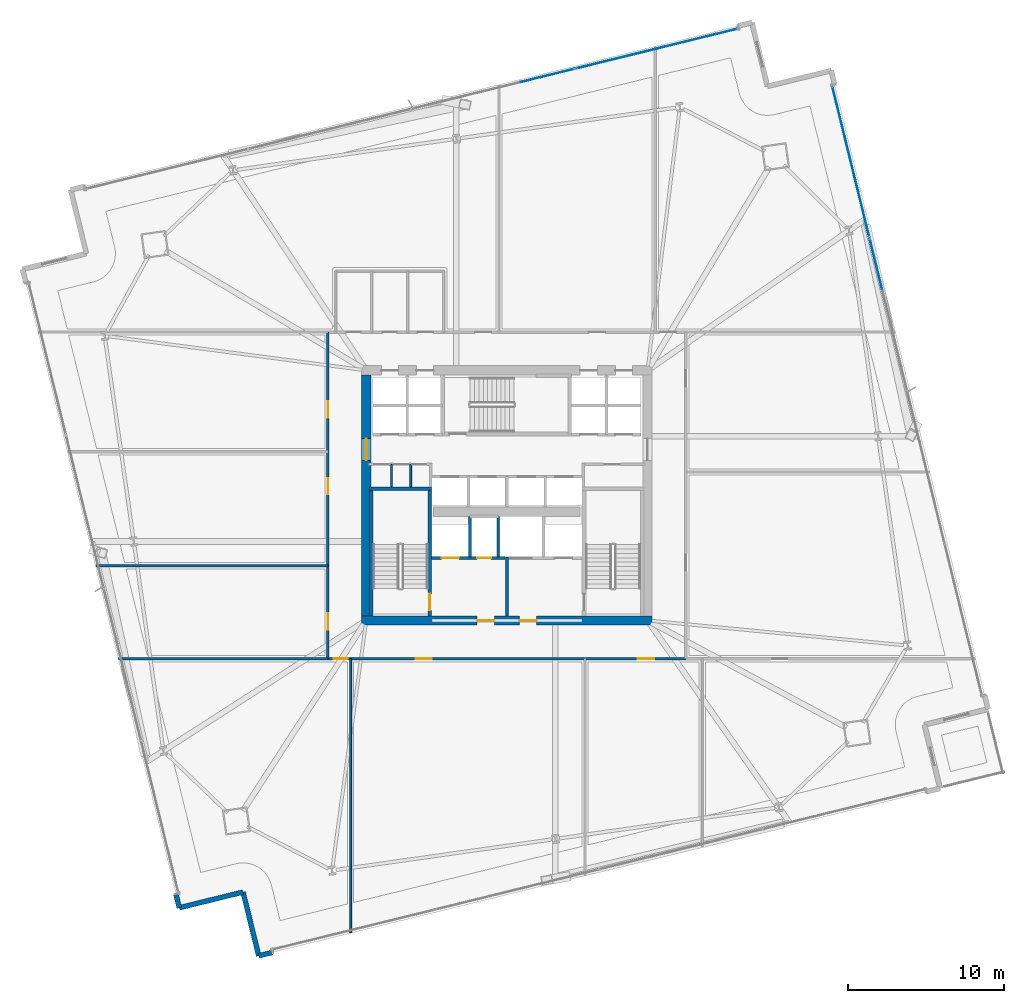
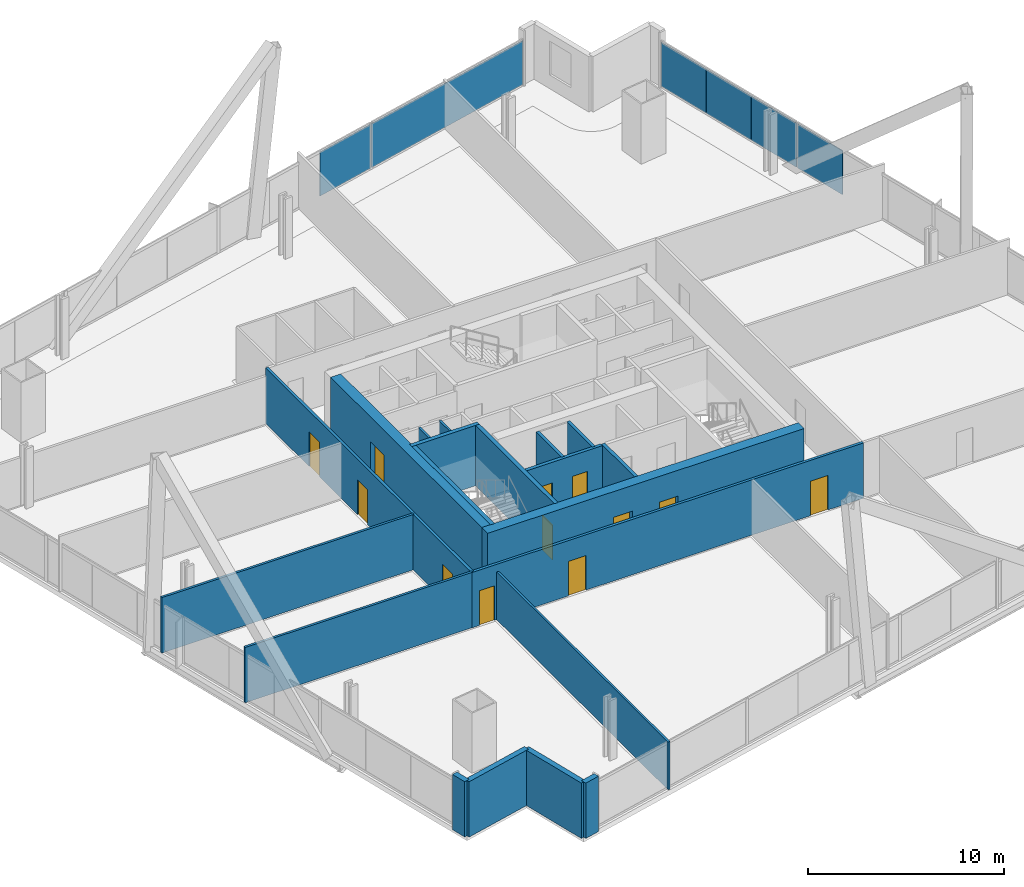
# One storey, part 24 of 32: 20 walls, 12 doors, 6 plates, 12 openings, 2 elements without a shape of their own.
"""IFC4 building model written with IfcOpenShell, lengths in metres."""

from ifc_helpers import new_model, si_unit, direction, frame, frame_2d, origin, origin_2d, place, context, subcontext, project, spatial, rectangle, extrude, source, transform, mapped, material, layer, layer_set, type_object, element, fill, aggregate, save


model = new_model("IFC4")

# Units and contexts
model_context = context("Model", 3, precision=1e-05, world=origin(), true_north=direction((0.0, 1.0)))
body_context = subcontext(model_context, "Body", "Model", "MODEL_VIEW")
ifc_project = project(units=[si_unit("LENGTHUNIT", "METRE"), si_unit("AREAUNIT", "SQUARE_METRE"), si_unit("VOLUMEUNIT", "CUBIC_METRE"), si_unit("PLANEANGLEUNIT", "RADIAN"), si_unit("MASSUNIT", "GRAM", prefix="KILO")], contexts=[model_context])

# Site, building, storey
site_placement = place(None, origin())
site = spatial("IfcSite", under=ifc_project, at=site_placement, CompositionType="ELEMENT")
building_placement = place(site_placement, origin())
building = spatial("IfcBuilding", under=site, at=building_placement, Name="Haldenkirk Collegiate Tower", CompositionType="ELEMENT")
storey_placement = place(building_placement, frame((0.0, 0.0, 73.949951171875)))
storey = spatial("IfcBuildingStorey", under=building, at=storey_placement, Name="L17", CompositionType="ELEMENT", Elevation=73.949951171875)

# Curtain wall, plate
ifc_material_1 = material(Name="Anodised architectural bronze aluminium", Category="aluminium")
curtain_wall_type = type_object("IfcCurtainWallType", Name="CW-SYS1-CONVEX-LOW", PredefinedType="USERDEFINED", material=ifc_material_1)
curtain_wall_1_placement = place(storey_placement, origin())
curtain_wall_1 = element("IfcCurtainWall", 1, at=curtain_wall_1_placement, inside=storey, type_object=curtain_wall_type, Name="L17 Lower tower convex bronze-framed unitised curtain wall", ObjectType="UNITISED CURTAIN WALL", PredefinedType="USERDEFINED")
ifc_material_2 = material(Name="Bronze-anodised insulated aluminium spandrel panel", Category="aluminium")
ifc_layer_1 = layer(ifc_material_2, 0.0439453125)
ifc_layer_set_1 = layer_set([ifc_layer_1], Name="Bronze-anodised insulated aluminium spandrel panel")
plate_type_1 = type_object("IfcPlateType", Name="CW-SPD-1A", PredefinedType="CURTAIN_PANEL", material=ifc_layer_set_1)
shared_shape_1 = source(origin(), body_context, "Body", "SweptSolid", [
    extrude(rectangle(XDim=3.317138671875, YDim=0.0439453125, at=origin_2d()), origin(), (0.0, 0.0, 1.0), 2.73095703125),
])
plate_1_placement = place(storey_placement, frame((59.611083984375, 40.84326171875, 0.080078125), z_axis=(0.0, 0.0, 1.0), x_axis=(0.238532828413, -0.971134434447, 0.0)))
plate_1 = element("IfcPlate", 2, at=plate_1_placement, type_object=plate_type_1, Name="CW-1A spandrel panel 2.1a", PredefinedType="CURTAIN_PANEL", context=body_context, shape_type="MappedRepresentation", body=[
    mapped(shared_shape_1, transform((0.0, 0.0, 0.0), x_axis=(1.0, 0.0, 0.0), y_axis=(0.0, 1.0, 0.0), z_axis=(0.0, 0.0, 1.0), scale=1.0)),
])

# Curtain wall, plates
curtain_wall_2_placement = place(storey_placement, origin())
curtain_wall_2 = element("IfcCurtainWall", 3, at=curtain_wall_2_placement, inside=storey, type_object=curtain_wall_type, Name="L17 Lower tower convex bronze-framed unitised curtain wall", ObjectType="UNITISED CURTAIN WALL", PredefinedType="USERDEFINED")
ifc_material_3 = material(Name="Low-E argon triple insulating glass", Category="glass")
ifc_layer_2 = layer(ifc_material_3, 0.0439453125)
ifc_layer_set_2 = layer_set([ifc_layer_2], Name="Low-E argon triple insulating glass")
plate_type_2 = type_object("IfcPlateType", Name="CW-PNL-1A", PredefinedType="CURTAIN_PANEL", material=ifc_layer_set_2)
shared_shape_2 = source(origin(), body_context, "Body", "SweptSolid", [
    extrude(rectangle(XDim=10.655029296875, YDim=0.0439453125, at=origin_2d()), origin(), (0.0, 0.0, 1.0), 2.73095703125),
])
plate_2_placement = place(storey_placement, frame((45.60107421875, 54.58544921875, 0.080078125), z_axis=(0.0, 0.0, 1.0), x_axis=(0.971134253577, 0.238533564784, 0.0)))
plate_2 = element("IfcPlate", 4, at=plate_2_placement, type_object=plate_type_2, Name="CW-1A panel 4.1", PredefinedType="CURTAIN_PANEL", context=body_context, shape_type="MappedRepresentation", body=[
    mapped(shared_shape_2, transform((0.0, 0.0, 0.0), x_axis=(1.0, 0.0, 0.0), y_axis=(0.0, 1.0, 0.0), z_axis=(0.0, 0.0, 1.0), scale=1.0)),
])
shared_shape_3 = source(origin(), body_context, "Body", "SweptSolid", [
    extrude(rectangle(XDim=3.552490234375, YDim=0.0439453125, at=origin_2d()), origin(), (0.0, 0.0, 1.0), 2.73095703125),
])
plate_3_placement = place(storey_placement, frame((38.624755859375, 52.871826171875, 0.080078125), z_axis=(0.0, 0.0, 1.0), x_axis=(0.971134253577, 0.238533564784, 0.0)))
plate_3 = element("IfcPlate", 5, at=plate_3_placement, type_object=plate_type_2, Name="CW-1A panel 3.1c", PredefinedType="CURTAIN_PANEL", context=body_context, shape_type="MappedRepresentation", body=[
    mapped(shared_shape_3, transform((0.0, 0.0, 0.0), x_axis=(1.0, 0.0, 0.0), y_axis=(0.0, 1.0, 0.0), z_axis=(0.0, 0.0, 1.0), scale=1.0)),
])
aggregate(curtain_wall_2, [plate_3, plate_2])

# Plate
shared_shape_4 = source(origin(), body_context, "Body", "SweptSolid", [
    extrude(rectangle(XDim=3.3037109375, YDim=0.0439453125, at=origin_2d()), origin(), (0.0, 0.0, 1.0), 2.73095703125),
])
plate_4_placement = place(storey_placement, frame((57.21728515625, 50.5888671875, 0.080078125), z_axis=(0.0, 0.0, 1.0), x_axis=(0.238532828413, -0.971134434447, 0.0)))
plate_4 = element("IfcPlate", 6, at=plate_4_placement, type_object=plate_type_2, Name="CW-1A panel 1.1a", PredefinedType="CURTAIN_PANEL", context=body_context, shape_type="MappedRepresentation", body=[
    mapped(shared_shape_4, transform((0.0, 0.0, 0.0), x_axis=(1.0, 0.0, 0.0), y_axis=(0.0, 1.0, 0.0), z_axis=(0.0, 0.0, 1.0), scale=1.0)),
])

plate_5_placement = place(storey_placement, frame((58.80224609375, 44.1357421875, 0.080078125), z_axis=(0.0, 0.0, 1.0), x_axis=(0.238532828413, -0.971134434447, 0.0)))
plate_5 = element("IfcPlate", 7, at=plate_5_placement, type_object=plate_type_1, Name="CW-1A spandrel panel 1.1c", PredefinedType="CURTAIN_PANEL", context=body_context, shape_type="MappedRepresentation", body=[
    mapped(shared_shape_4, transform((0.0, 0.0, 0.0), x_axis=(1.0, 0.0, 0.0), y_axis=(0.0, 1.0, 0.0), z_axis=(0.0, 0.0, 1.0), scale=1.0)),
])

shared_shape_5 = source(origin(), body_context, "Body", "SweptSolid", [
    extrude(rectangle(XDim=3.291259765625, YDim=0.0439453125, at=origin_2d()), origin(), (0.0, 0.0, 1.0), 2.73095703125),
])
plate_6_placement = place(storey_placement, frame((58.009765625, 47.3623046875, 0.080078125), z_axis=(0.0, 0.0, 1.0), x_axis=(0.238532828413, -0.971134434447, 0.0)))
plate_6 = element("IfcPlate", 8, at=plate_6_placement, type_object=plate_type_2, Name="CW-1A panel 1.1b", PredefinedType="CURTAIN_PANEL", context=body_context, shape_type="MappedRepresentation", body=[
    mapped(shared_shape_5, transform((0.0, 0.0, 0.0), x_axis=(1.0, 0.0, 0.0), y_axis=(0.0, 1.0, 0.0), z_axis=(0.0, 0.0, 1.0), scale=1.0)),
])

aggregate(curtain_wall_1, [plate_4, plate_6, plate_5, plate_1])

# Wall, openings, doors
ifc_material_4 = material(Name="Concrete f'c 70 MPa", Category="concrete")
ifc_layer_3 = layer(ifc_material_4, 0.60009765625)
ifc_layer_set_3 = layer_set([ifc_layer_3], Name="Concrete f'c 70 MPa")
wall_type_1 = type_object("IfcWallType", Name="WL-CORE-600", PredefinedType="SHEAR", material=ifc_layer_set_3)
wall_1_placement = place(storey_placement, frame((26.699951171875, 18.0, 0.0), z_axis=(0.0, 0.0, 1.0), x_axis=(1.0, 0.0, 0.0)))
wall_1 = element("IfcWall", 9, at=wall_1_placement, inside=storey, type_object=wall_type_1, Name="L17 central core shear wall S", PredefinedType="SHEAR", context=body_context, shape_type="SweptSolid", body=[
    extrude(rectangle(XDim=18.60009765625, YDim=0.60009765625, at=frame_2d((9.300048828125, 0.0))), origin(), (0.0, 0.0, 1.0), 3.75),
])
opening_1_placement = place(wall_1_placement, frame((7.39990234375, 0.0, 0.0)))
opening_1 = element("IfcOpeningElement", 10, at=opening_1_placement, cuts=wall_1, Name="Opening D-02", PredefinedType="OPENING", context=body_context, shape_type="SweptSolid", body=[
    extrude(rectangle(XDim=1.10009765625, YDim=2.14990234375, at=frame_2d((0.550048828125, 1.074951171875))), frame((0.0, 0.31005859375, 0.0), z_axis=(0.0, -1.0, 0.0), x_axis=(1.0, 0.0, 0.0)), (0.0, 0.0, 1.0), 0.6201171875),
])
opening_2_placement = place(wall_1_placement, frame((10.10009765625, 0.0, 0.0)))
opening_2 = element("IfcOpeningElement", 11, at=opening_2_placement, cuts=wall_1, Name="Opening D-02", PredefinedType="OPENING", context=body_context, shape_type="SweptSolid", body=[
    extrude(rectangle(XDim=1.10009765625, YDim=2.14990234375, at=frame_2d((0.550048828125, 1.074951171875))), frame((0.0, 0.31005859375, 0.0), z_axis=(0.0, -1.0, 0.0), x_axis=(1.0, 0.0, 0.0)), (0.0, 0.0, 1.0), 0.6201171875),
])
ifc_material_5 = material(Name="Galvanized fire-rated hollow steel door", Category="steel")
ifc_layer_4 = layer(ifc_material_5, 0.06005859375)
ifc_layer_set_4 = layer_set([ifc_layer_4], Name="Galvanized fire-rated hollow steel door")
door_type_1 = type_object("IfcDoorType", Name="DR-STAIR-FD90-1100", OperationType="NOTDEFINED", PredefinedType="DOOR", material=ifc_layer_set_4)
door_1_placement = place(opening_1_placement, origin())
door_1 = element("IfcDoor", 12, at=door_1_placement, inside=storey, type_object=door_type_1, Name="L17 Firefighting Lobby 1 door", OperationType="SINGLE_SWING_LEFT", OverallHeight=2.14990234375, OverallWidth=1.10009765625, PredefinedType="DOOR", context=body_context, shape_type="SweptSolid", body=[
    extrude(rectangle(XDim=1.10009765625, YDim=2.14990234375, at=frame_2d((0.550048828125, 1.074951171875))), frame((0.0, 0.02490234375, 0.0), z_axis=(0.0, -1.0, 0.0), x_axis=(1.0, 0.0, 0.0)), (0.0, 0.0, 1.0), 0.050048828125),
])
fill(opening_1, door_1)
door_2_placement = place(opening_2_placement, origin())
door_2 = element("IfcDoor", 13, at=door_2_placement, inside=storey, type_object=door_type_1, Name="L17 Firefighting Lobby 2 door", OperationType="SINGLE_SWING_RIGHT", OverallHeight=2.14990234375, OverallWidth=1.10009765625, PredefinedType="DOOR", context=body_context, shape_type="SweptSolid", body=[
    extrude(rectangle(XDim=1.10009765625, YDim=2.14990234375, at=frame_2d((0.550048828125, 1.074951171875))), frame((0.0, 0.02490234375, 0.0), z_axis=(0.0, -1.0, 0.0), x_axis=(1.0, 0.0, 0.0)), (0.0, 0.0, 1.0), 0.050048828125),
])
fill(opening_2, door_2)

# Wall, opening, door
wall_2_placement = place(storey_placement, frame((27.0, 18.300048828125, 0.0), z_axis=(0.0, 0.0, 1.0), x_axis=(0.0, 1.0, 0.0)))
wall_2 = element("IfcWall", 14, at=wall_2_placement, inside=storey, type_object=wall_type_1, Name="L17 central core shear wall W", PredefinedType="SHEAR", context=body_context, shape_type="SweptSolid", body=[
    extrude(rectangle(XDim=15.39990234375, YDim=0.60009765625, at=frame_2d((7.699951171875, 0.0))), origin(), (0.0, 0.0, 1.0), 3.75),
])
opening_3_placement = place(wall_2_placement, frame((9.93994140625, 0.0, 0.0)))
opening_3 = element("IfcOpeningElement", 15, at=opening_3_placement, cuts=wall_2, Name="Opening D-03", PredefinedType="OPENING", context=body_context, shape_type="SweptSolid", body=[
    extrude(rectangle(XDim=1.39990234375, YDim=2.199951171875, at=frame_2d((0.699951171875, 1.10009765625))), frame((0.0, 0.31005859375, 0.0), z_axis=(0.0, -1.0, 0.0), x_axis=(1.0, 0.0, 0.0)), (0.0, 0.0, 1.0), 0.6201171875),
])
ifc_layer_5 = layer(ifc_material_5, 0.06005859375)
ifc_layer_set_5 = layer_set([ifc_layer_5], Name="Galvanized fire-rated hollow steel door")
door_type_2 = type_object("IfcDoorType", Name="DR-LOBBY-FD90-1400", OperationType="NOTDEFINED", PredefinedType="DOOR", material=ifc_layer_set_5)
door_3_placement = place(opening_3_placement, origin())
door_3 = element("IfcDoor", 16, at=door_3_placement, inside=storey, type_object=door_type_2, Name="L17 west lift lobby portal", OperationType="DOUBLE_DOOR_SINGLE_SWING", OverallHeight=2.199951171875, OverallWidth=1.39990234375, PredefinedType="DOOR", context=body_context, shape_type="SweptSolid", body=[
    extrude(rectangle(XDim=1.39990234375, YDim=2.199951171875, at=frame_2d((0.699951171875, 1.10009765625))), frame((0.0, 0.02490234375, 0.0), z_axis=(0.0, -1.0, 0.0), x_axis=(1.0, 0.0, 0.0)), (0.0, 0.0, 1.0), 0.050048828125),
])
fill(opening_3, door_3)

# Walls
ifc_material_6 = material(Name="Precast concrete f'c 40 MPa", Category="concrete")
ifc_layer_6 = layer(ifc_material_6, 0.320068359375)
ifc_layer_set_6 = layer_set([ifc_layer_6], Name="Precast concrete f'c 40 MPa")
wall_type_2 = type_object("IfcWallType", Name="WL-EXT-TWR-320", PredefinedType="STANDARD", material=ifc_layer_set_6)
wall_3_placement = place(storey_placement, frame((20.99365234375, -3.248779296875, 0.0), z_axis=(0.0, 0.0, 1.0), x_axis=(-0.971155160294, -0.238448431815, 0.0)))
element("IfcWall", 17, at=wall_3_placement, inside=storey, type_object=wall_type_2, Name="L17 precast corner pier SR", PredefinedType="STANDARD", context=body_context, shape_type="SweptSolid", body=[
    extrude(rectangle(XDim=0.89990234375, YDim=0.320068359375, at=frame_2d((0.449951171875, 0.0))), origin(), (0.0, 0.0, 1.0), 3.43994140625),
])
wall_4_placement = place(storey_placement, frame((15.0390625, -0.38671875, 0.0), z_axis=(0.0, 0.0, 1.0), x_axis=(-0.238704255463, 0.971092311999, 0.0)))
element("IfcWall", 18, at=wall_4_placement, inside=storey, type_object=wall_type_2, Name="L17 precast corner pier WL", PredefinedType="STANDARD", context=body_context, shape_type="SweptSolid", body=[
    extrude(rectangle(XDim=0.900146484375, YDim=0.320068359375, at=frame_2d((0.4501953125, 0.0))), origin(), (0.0, 0.0, 1.0), 3.43994140625),
])
wall_5_placement = place(storey_placement, frame((19.117919921875, 0.615234375, 0.0), z_axis=(0.0, 0.0, 1.0), x_axis=(-0.971129335226, -0.238553587824, 0.0)))
element("IfcWall", 19, at=wall_5_placement, inside=storey, type_object=wall_type_2, Name="L17 bronze precast notch wall 11", PredefinedType="STANDARD", context=body_context, shape_type="SweptSolid", body=[
    extrude(rectangle(XDim=4.2001953125, YDim=0.320068359375, at=frame_2d((2.10009765625, 0.0))), origin(), (0.0, 0.0, 1.0), 3.43994140625),
])
wall_6_placement = place(storey_placement, frame((20.11962890625, -3.46337890625, 0.0), z_axis=(0.0, 0.0, 1.0), x_axis=(-0.238512231586, 0.971139493267, 0.0)))
element("IfcWall", 20, at=wall_6_placement, inside=storey, type_object=wall_type_2, Name="L17 bronze precast notch wall 12", PredefinedType="STANDARD", context=body_context, shape_type="SweptSolid", body=[
    extrude(rectangle(XDim=4.19970703125, YDim=0.320068359375, at=frame_2d((2.099853515625, 0.0))), origin(), (0.0, 0.0, 1.0), 3.43994140625),
])

# Wall, openings, doors
ifc_material_7 = material(Name="Acoustic fire-rated gypsum partition", Category="concrete")
ifc_layer_7 = layer(ifc_material_7, 0.159912109375)
ifc_layer_set_7 = layer_set([ifc_layer_7], Name="Acoustic fire-rated gypsum partition")
wall_type_3 = type_object("IfcWallType", Name="WL-INT-CORR-160", PredefinedType="PARTITIONING", material=ifc_layer_set_7)
wall_7_placement = place(storey_placement, frame((24.5, 15.550048828125, 0.0), z_axis=(0.0, 0.0, 1.0), x_axis=(1.0, 0.0, 0.0)))
wall_7 = element("IfcWall", 21, at=wall_7_placement, inside=storey, type_object=wall_type_3, Name="L17 interior partition IW-L17-CS", PredefinedType="PARTITIONING", context=body_context, shape_type="SweptSolid", body=[
    extrude(rectangle(XDim=23.0, YDim=0.159912109375, at=frame_2d((11.5, 0.0))), origin(), (0.0, 0.0, 1.0), 3.43994140625),
])
opening_4_placement = place(wall_7_placement, frame((0.425048828125, 0.0, 0.0)))
opening_4 = element("IfcOpeningElement", 22, at=opening_4_placement, cuts=wall_7, Name="Opening D-11", PredefinedType="OPENING", context=body_context, shape_type="SweptSolid", body=[
    extrude(rectangle(XDim=0.89990234375, YDim=2.14990234375, at=frame_2d((0.449951171875, 1.074951171875))), frame((0.0, 0.08984375, 0.0), z_axis=(0.0, -1.0, 0.0), x_axis=(1.0, 0.0, 0.0)), (0.0, 0.0, 1.0), 0.179931640625),
])
opening_5_placement = place(wall_7_placement, frame((5.655029296875, 0.0, 0.0)))
opening_5 = element("IfcOpeningElement", 23, at=opening_5_placement, cuts=wall_7, Name="Opening D-09", PredefinedType="OPENING", context=body_context, shape_type="SweptSolid", body=[
    extrude(rectangle(XDim=1.050048828125, YDim=2.14990234375, at=frame_2d((0.52490234375, 1.074951171875))), frame((0.0, 0.08984375, 0.0), z_axis=(0.0, -1.0, 0.0), x_axis=(1.0, 0.0, 0.0)), (0.0, 0.0, 1.0), 0.179931640625),
])
opening_6_placement = place(wall_7_placement, frame((19.87890625, 0.0, 0.0)))
opening_6 = element("IfcOpeningElement", 24, at=opening_6_placement, cuts=wall_7, Name="Opening D-09", PredefinedType="OPENING", context=body_context, shape_type="SweptSolid", body=[
    extrude(rectangle(XDim=1.050048828125, YDim=2.14990234375, at=frame_2d((0.52490234375, 1.074951171875))), frame((0.0, 0.08984375, 0.0), z_axis=(0.0, -1.0, 0.0), x_axis=(1.0, 0.0, 0.0)), (0.0, 0.0, 1.0), 0.179931640625),
])
ifc_material_8 = material(Name="Solid-core architectural oak fire door", Category="wood")
ifc_layer_8 = layer(ifc_material_8, 0.06005859375)
ifc_layer_set_8 = layer_set([ifc_layer_8], Name="Solid-core architectural oak fire door")
door_type_3 = type_object("IfcDoorType", Name="DR-INT-FD60-1050", OperationType="NOTDEFINED", PredefinedType="DOOR", material=ifc_layer_set_8)
door_4_placement = place(opening_5_placement, origin())
door_4 = element("IfcDoor", 25, at=door_4_placement, inside=storey, type_object=door_type_3, Name="L17 Campus Design Shop 2 door", OperationType="SINGLE_SWING_RIGHT", OverallHeight=2.14990234375, OverallWidth=1.050048828125, PredefinedType="DOOR", context=body_context, shape_type="SweptSolid", body=[
    extrude(rectangle(XDim=1.050048828125, YDim=2.14990234375, at=frame_2d((0.52490234375, 1.074951171875))), frame((0.0, 0.02490234375, 0.0), z_axis=(0.0, -1.0, 0.0), x_axis=(1.0, 0.0, 0.0)), (0.0, 0.0, 1.0), 0.050048828125),
])
fill(opening_5, door_4)
door_5_placement = place(opening_6_placement, origin())
door_5 = element("IfcDoor", 26, at=door_5_placement, inside=storey, type_object=door_type_3, Name="L17 Collegiate Supply Shop 3 door", OperationType="SINGLE_SWING_LEFT", OverallHeight=2.14990234375, OverallWidth=1.050048828125, PredefinedType="DOOR", context=body_context, shape_type="SweptSolid", body=[
    extrude(rectangle(XDim=1.050048828125, YDim=2.14990234375, at=frame_2d((0.52490234375, 1.074951171875))), frame((0.0, 0.02490234375, 0.0), z_axis=(0.0, -1.0, 0.0), x_axis=(1.0, 0.0, 0.0)), (0.0, 0.0, 1.0), 0.050048828125),
])
fill(opening_6, door_5)
ifc_layer_9 = layer(ifc_material_8, 0.06005859375)
ifc_layer_set_9 = layer_set([ifc_layer_9], Name="Solid-core architectural oak fire door")
door_type_4 = type_object("IfcDoorType", Name="DR-INT-FD60-900", OperationType="NOTDEFINED", PredefinedType="DOOR", material=ifc_layer_set_9)
door_6_placement = place(opening_4_placement, origin())
door_6 = element("IfcDoor", 27, at=door_6_placement, inside=storey, type_object=door_type_4, Name="L17 Academic Press Bookshop 1 door", OperationType="SINGLE_SWING_LEFT", OverallHeight=2.14990234375, OverallWidth=0.89990234375, PredefinedType="DOOR", context=body_context, shape_type="SweptSolid", body=[
    extrude(rectangle(XDim=0.89990234375, YDim=2.14990234375, at=frame_2d((0.449951171875, 1.074951171875))), frame((0.0, 0.02490234375, 0.0), z_axis=(0.0, -1.0, 0.0), x_axis=(1.0, 0.0, 0.0)), (0.0, 0.0, 1.0), 0.050048828125),
])
fill(opening_4, door_6)

wall_8_placement = place(storey_placement, frame((24.550048828125, 15.550048828125, 0.0), z_axis=(0.0, 0.0, 1.0), x_axis=(0.0, 1.0, 0.0)))
wall_8 = element("IfcWall", 28, at=wall_8_placement, inside=storey, type_object=wall_type_3, Name="L17 interior partition IW-L17-CW", PredefinedType="PARTITIONING", context=body_context, shape_type="SweptSolid", body=[
    extrude(rectangle(XDim=20.89990234375, YDim=0.159912109375, at=frame_2d((10.449951171875, 0.0))), origin(), (0.0, 0.0, 1.0), 3.43994140625),
])
opening_7_placement = place(wall_8_placement, frame((1.862060546875, 0.0, 0.0)))
opening_7 = element("IfcOpeningElement", 29, at=opening_7_placement, cuts=wall_8, Name="Opening D-09", PredefinedType="OPENING", context=body_context, shape_type="SweptSolid", body=[
    extrude(rectangle(XDim=1.050048828125, YDim=2.14990234375, at=frame_2d((0.52490234375, 1.074951171875))), frame((0.0, 0.08984375, 0.0), z_axis=(0.0, -1.0, 0.0), x_axis=(1.0, 0.0, 0.0)), (0.0, 0.0, 1.0), 0.179931640625),
])
opening_8_placement = place(wall_8_placement, frame((10.509033203125, 0.0, 0.0)))
opening_8 = element("IfcOpeningElement", 30, at=opening_8_placement, cuts=wall_8, Name="Opening D-09", PredefinedType="OPENING", context=body_context, shape_type="SweptSolid", body=[
    extrude(rectangle(XDim=1.050048828125, YDim=2.14990234375, at=frame_2d((0.52490234375, 1.074951171875))), frame((0.0, 0.08984375, 0.0), z_axis=(0.0, -1.0, 0.0), x_axis=(1.0, 0.0, 0.0)), (0.0, 0.0, 1.0), 0.179931640625),
])
opening_9_placement = place(wall_8_placement, frame((15.426025390625, 0.0, 0.0)))
opening_9 = element("IfcOpeningElement", 31, at=opening_9_placement, cuts=wall_8, Name="Opening D-09", PredefinedType="OPENING", context=body_context, shape_type="SweptSolid", body=[
    extrude(rectangle(XDim=1.050048828125, YDim=2.14990234375, at=frame_2d((0.52490234375, 1.074951171875))), frame((0.0, 0.08984375, 0.0), z_axis=(0.0, -1.0, 0.0), x_axis=(1.0, 0.0, 0.0)), (0.0, 0.0, 1.0), 0.179931640625),
])
door_7_placement = place(opening_7_placement, origin())
door_7 = element("IfcDoor", 32, at=door_7_placement, inside=storey, type_object=door_type_3, Name="L17 Campus Design Shop 8 door", OperationType="SINGLE_SWING_RIGHT", OverallHeight=2.14990234375, OverallWidth=1.050048828125, PredefinedType="DOOR", context=body_context, shape_type="SweptSolid", body=[
    extrude(rectangle(XDim=1.050048828125, YDim=2.14990234375, at=frame_2d((0.52490234375, 1.074951171875))), frame((0.0, 0.02490234375, 0.0), z_axis=(0.0, -1.0, 0.0), x_axis=(1.0, 0.0, 0.0)), (0.0, 0.0, 1.0), 0.050048828125),
])
fill(opening_7, door_7)
door_8_placement = place(opening_8_placement, origin())
door_8 = element("IfcDoor", 33, at=door_8_placement, inside=storey, type_object=door_type_3, Name="L17 Collegiate Supply Shop 9 door", OperationType="SINGLE_SWING_LEFT", OverallHeight=2.14990234375, OverallWidth=1.050048828125, PredefinedType="DOOR", context=body_context, shape_type="SweptSolid", body=[
    extrude(rectangle(XDim=1.050048828125, YDim=2.14990234375, at=frame_2d((0.52490234375, 1.074951171875))), frame((0.0, 0.02490234375, 0.0), z_axis=(0.0, -1.0, 0.0), x_axis=(1.0, 0.0, 0.0)), (0.0, 0.0, 1.0), 0.050048828125),
])
fill(opening_8, door_8)
door_9_placement = place(opening_9_placement, origin())
door_9 = element("IfcDoor", 34, at=door_9_placement, inside=storey, type_object=door_type_3, Name="L17 Architectural Crit Studio 10 door", OperationType="SINGLE_SWING_RIGHT", OverallHeight=2.14990234375, OverallWidth=1.050048828125, PredefinedType="DOOR", context=body_context, shape_type="SweptSolid", body=[
    extrude(rectangle(XDim=1.050048828125, YDim=2.14990234375, at=frame_2d((0.52490234375, 1.074951171875))), frame((0.0, 0.02490234375, 0.0), z_axis=(0.0, -1.0, 0.0), x_axis=(1.0, 0.0, 0.0)), (0.0, 0.0, 1.0), 0.050048828125),
])
fill(opening_9, door_9)

# Walls
ifc_layer_10 = layer(ifc_material_7, 0.139892578125)
ifc_layer_set_10 = layer_set([ifc_layer_10], Name="Acoustic fire-rated gypsum partition")
wall_type_4 = type_object("IfcWallType", Name="WL-INT-DIV-140", PredefinedType="PARTITIONING", material=ifc_layer_set_10)
wall_9_placement = place(storey_placement, frame((11.165771484375, 15.550048828125, 0.0), z_axis=(0.0, 0.0, 1.0), x_axis=(1.0, 0.0, 0.0)))
element("IfcWall", 35, at=wall_9_placement, inside=storey, type_object=wall_type_4, Name="L17 interior partition IW-L17-BWS", PredefinedType="PARTITIONING", context=body_context, shape_type="SweptSolid", body=[
    extrude(rectangle(XDim=13.38427734375, YDim=0.139892578125, at=frame_2d((6.692138671875, 0.0))), origin(), (0.0, 0.0, 1.0), 3.43994140625),
])
wall_10_placement = place(storey_placement, frame((9.704345703125, 21.5, 0.0), z_axis=(0.0, 0.0, 1.0), x_axis=(1.0, 0.0, 0.0)))
element("IfcWall", 36, at=wall_10_placement, inside=storey, type_object=wall_type_4, Name="L17 interior partition IW-L17-RW1", PredefinedType="PARTITIONING", context=body_context, shape_type="SweptSolid", body=[
    extrude(rectangle(XDim=14.845703125, YDim=0.139892578125, at=frame_2d((7.4228515625, 0.0))), origin(), (0.0, 0.0, 1.0), 3.43994140625),
])
ifc_material_9 = material(Name="Fire-rated gypsum shaftboard assembly", Category="concrete")
ifc_layer_11 = layer(ifc_material_9, 0.179931640625)
ifc_layer_set_11 = layer_set([ifc_layer_11], Name="Fire-rated gypsum shaftboard assembly")
wall_type_5 = type_object("IfcWallType", Name="WL-INT-SHAFT-180", PredefinedType="PARTITIONING", material=ifc_layer_set_11)
for number, where, z_axis, x_axis, name in (
    (37, (33.64990234375, 22.050048828125, 0.0), (0.0, 0.0, 1.0), (0.0, 1.0, 0.0), "L17 interior partition IW-L17-FL1E"),
    (38, (35.449951171875, 22.050048828125, 0.0), (0.0, 0.0, 1.0), (0.0, 1.0, 0.0), "L17 interior partition IW-L17-GL1W"),
):
    element("IfcWall", number, at=place(storey_placement, frame(where, z_axis=z_axis, x_axis=x_axis)), inside=storey, type_object=wall_type_5, Name=name, PredefinedType="PARTITIONING", context=body_context, shape_type="SweptSolid", body=[
        extrude(rectangle(XDim=2.599853515625, YDim=0.179931640625, at=frame_2d((1.2998046875, 0.0))), origin(), (0.0, 0.0, 1.0), 3.43994140625),
    ])
ifc_layer_12 = layer(ifc_material_9, 0.199951171875)
ifc_layer_set_12 = layer_set([ifc_layer_12], Name="Fire-rated gypsum shaftboard assembly")
wall_type_6 = type_object("IfcWallType", Name="WL-INT-SHAFT-200", PredefinedType="PARTITIONING", material=ifc_layer_set_12)
wall_11_placement = place(storey_placement, frame((36.0, 18.280029296875, 0.0), z_axis=(0.0, 0.0, 1.0), x_axis=(0.0, 1.0, 0.0)))
element("IfcWall", 39, at=wall_11_placement, inside=storey, type_object=wall_type_6, Name="L17 interior partition IW-L17-FFLM", PredefinedType="PARTITIONING", context=body_context, shape_type="SweptSolid", body=[
    extrude(rectangle(XDim=3.77001953125, YDim=0.199951171875, at=frame_2d((1.885009765625, 0.0))), origin(), (0.0, 0.0, 1.0), 3.43994140625),
])

# Wall, openings, doors
wall_12_placement = place(storey_placement, frame((31.18994140625, 22.0, 0.0), z_axis=(0.0, 0.0, 1.0), x_axis=(1.0, 0.0, 0.0)))
wall_12 = element("IfcWall", 40, at=wall_12_placement, inside=storey, type_object=wall_type_6, Name="L17 interior partition IW-L17-FFL1N", PredefinedType="PARTITIONING", context=body_context, shape_type="SweptSolid", body=[
    extrude(rectangle(XDim=4.68994140625, YDim=0.199951171875, at=frame_2d((2.344970703125, 0.0))), origin(), (0.0, 0.0, 1.0), 3.43994140625),
])
opening_10_placement = place(wall_12_placement, frame((2.909912109375, 0.0, 0.0)))
opening_10 = element("IfcOpeningElement", 41, at=opening_10_placement, cuts=wall_12, Name="Opening D-06", PredefinedType="OPENING", context=body_context, shape_type="SweptSolid", body=[
    extrude(rectangle(XDim=0.89990234375, YDim=2.14990234375, at=frame_2d((0.449951171875, 1.074951171875))), frame((0.0, 0.10986328125, 0.0), z_axis=(0.0, -1.0, 0.0), x_axis=(1.0, 0.0, 0.0)), (0.0, 0.0, 1.0), 0.219970703125),
])
opening_11_placement = place(wall_12_placement, frame((0.635009765625, 0.0, 0.0)))
opening_11 = element("IfcOpeningElement", 42, at=opening_11_placement, cuts=wall_12, Name="Opening LD-12", PredefinedType="OPENING", context=body_context, shape_type="SweptSolid", body=[
    extrude(rectangle(XDim=1.10009765625, YDim=2.14990234375, at=frame_2d((0.550048828125, 1.074951171875))), frame((0.0, 0.10986328125, 0.0), z_axis=(0.0, -1.0, 0.0), x_axis=(1.0, 0.0, 0.0)), (0.0, 0.0, 1.0), 0.219970703125),
])
ifc_layer_13 = layer(ifc_material_5, 0.06005859375)
ifc_layer_set_13 = layer_set([ifc_layer_13], Name="Galvanized fire-rated hollow steel door")
door_type_5 = type_object("IfcDoorType", Name="DR-INT-FD90-900", OperationType="NOTDEFINED", PredefinedType="DOOR", material=ifc_layer_set_13)
door_10_placement = place(opening_10_placement, origin())
door_10 = element("IfcDoor", 43, at=door_10_placement, inside=storey, type_object=door_type_5, Name="L17 electrical riser door", OperationType="SINGLE_SWING_LEFT", OverallHeight=2.14990234375, OverallWidth=0.89990234375, PredefinedType="DOOR", context=body_context, shape_type="SweptSolid", body=[
    extrude(rectangle(XDim=0.89990234375, YDim=2.14990234375, at=frame_2d((0.449951171875, 1.074951171875))), frame((0.0, 0.02490234375, 0.0), z_axis=(0.0, -1.0, 0.0), x_axis=(1.0, 0.0, 0.0)), (0.0, 0.0, 1.0), 0.050048828125),
])
fill(opening_10, door_10)
ifc_material_10 = material(Name="Brushed architectural stainless steel", Category="steel")
ifc_layer_14 = layer(ifc_material_10, 0.06005859375)
ifc_layer_set_14 = layer_set([ifc_layer_14], Name="Brushed architectural stainless steel")
door_type_6 = type_object("IfcDoorType", Name="LD-FIRE-1100", OperationType="NOTDEFINED", PredefinedType="DOOR", material=ifc_layer_set_14)
door_11_placement = place(opening_11_placement, origin())
door_11 = element("IfcDoor", 44, at=door_11_placement, inside=storey, type_object=door_type_6, Name="L17 Elevator FL1 sliding landing door", OperationType="SLIDING_TO_LEFT", OverallHeight=2.14990234375, OverallWidth=1.10009765625, PredefinedType="DOOR", context=body_context, shape_type="SweptSolid", body=[
    extrude(rectangle(XDim=1.10009765625, YDim=2.14990234375, at=frame_2d((0.550048828125, 1.074951171875))), frame((0.0, 0.02490234375, 0.0), z_axis=(0.0, -1.0, 0.0), x_axis=(1.0, 0.0, 0.0)), (0.0, 0.0, 1.0), 0.050048828125),
])
fill(opening_11, door_11)

# Walls
ifc_layer_15 = layer(ifc_material_7, 0.1201171875)
ifc_layer_set_15 = layer_set([ifc_layer_15], Name="Acoustic fire-rated gypsum partition")
wall_type_7 = type_object("IfcWallType", Name="WL-INT-WET-120", PredefinedType="PARTITIONING", material=ifc_layer_set_15)
for number, where, z_axis, x_axis, name in (
    (45, (28.6201171875, 26.5400390625, 0.0), (0.0, 0.0, 1.0), (0.0, 1.0, 0.0), "L17 interior partition IW-L17-VCSW-M1"),
    (46, (29.840087890625, 26.5400390625, 0.0), (0.0, 0.0, 1.0), (0.0, 1.0, 0.0), "L17 interior partition IW-L17-VCSW-M2"),
):
    element("IfcWall", number, at=place(storey_placement, frame(where, z_axis=z_axis, x_axis=x_axis)), inside=storey, type_object=wall_type_7, Name=name, PredefinedType="PARTITIONING", context=body_context, shape_type="SweptSolid", body=[
        extrude(rectangle(XDim=1.43994140625, YDim=0.1201171875, at=frame_2d((0.719970703125, 0.0))), origin(), (0.0, 0.0, 1.0), 3.43994140625),
    ])
wall_13_placement = place(storey_placement, frame((26.0, -1.977783203125, 0.0), z_axis=(0.0, 0.0, 1.0), x_axis=(0.0, 1.0, 0.0)))
element("IfcWall", 47, at=wall_13_placement, inside=storey, type_object=wall_type_7, Name="L17 interior partition IW-L17-RS1", PredefinedType="PARTITIONING", context=body_context, shape_type="SweptSolid", body=[
    extrude(rectangle(XDim=17.52783203125, YDim=0.1201171875, at=frame_2d((8.763916015625, 0.0))), origin(), (0.0, 0.0, 1.0), 2.97216796875),
])

# Wall, opening, door
ifc_material_11 = material(Name="Concrete f'c 55 MPa", Category="concrete")
ifc_layer_16 = layer(ifc_material_11, 0.239990234375)
ifc_layer_set_16 = layer_set([ifc_layer_16], Name="Concrete f'c 55 MPa")
wall_type_8 = type_object("IfcWallType", Name="WL-SHAFT-240", PredefinedType="SHEAR", material=ifc_layer_set_16)
wall_14_placement = place(storey_placement, frame((31.070068359375, 18.280029296875, 0.0), z_axis=(0.0, 0.0, 1.0), x_axis=(0.0, 1.0, 0.0)))
wall_14 = element("IfcWall", 48, at=wall_14_placement, inside=storey, type_object=wall_type_8, Name="L17 stair shaft shear wall SW-L17-ST1E", PredefinedType="SHEAR", context=body_context, shape_type="SweptSolid", body=[
    extrude(rectangle(XDim=8.260009765625, YDim=0.239990234375, at=frame_2d((4.1298828125, 0.0))), origin(), (0.0, 0.0, 1.0), 3.75),
])
opening_12_placement = place(wall_14_placement, frame((0.364990234375, 0.0, 0.0)))
opening_12 = element("IfcOpeningElement", 49, at=opening_12_placement, cuts=wall_14, Name="Opening D-01", PredefinedType="OPENING", context=body_context, shape_type="SweptSolid", body=[
    extrude(rectangle(XDim=1.050048828125, YDim=2.14990234375, at=frame_2d((0.52490234375, 1.074951171875))), frame((0.0, 0.1298828125, 0.0), z_axis=(0.0, -1.0, 0.0), x_axis=(1.0, 0.0, 0.0)), (0.0, 0.0, 1.0), 0.260009765625),
])
ifc_layer_17 = layer(ifc_material_5, 0.06005859375)
ifc_layer_set_17 = layer_set([ifc_layer_17], Name="Galvanized fire-rated hollow steel door")
door_type_7 = type_object("IfcDoorType", Name="DR-STAIR-FD90-1050", OperationType="NOTDEFINED", PredefinedType="DOOR", material=ifc_layer_set_17)
door_12_placement = place(opening_12_placement, origin())
door_12 = element("IfcDoor", 50, at=door_12_placement, inside=storey, type_object=door_type_7, Name="L17 Stair 1 door", OperationType="SINGLE_SWING_LEFT", OverallHeight=2.14990234375, OverallWidth=1.050048828125, PredefinedType="DOOR", context=body_context, shape_type="SweptSolid", body=[
    extrude(rectangle(XDim=1.050048828125, YDim=2.14990234375, at=frame_2d((0.52490234375, 1.074951171875))), frame((0.0, 0.02490234375, 0.0), z_axis=(0.0, -1.0, 0.0), x_axis=(1.0, 0.0, 0.0)), (0.0, 0.0, 1.0), 0.050048828125),
])
fill(opening_12, door_12)

# Walls
wall_15_placement = place(storey_placement, frame((27.2099609375, 26.419921875, 0.0), z_axis=(0.0, 0.0, 1.0), x_axis=(1.0, 0.0, 0.0)))
element("IfcWall", 51, at=wall_15_placement, inside=storey, type_object=wall_type_8, Name="L17 stair shaft shear wall SW-L17-ST1N", PredefinedType="SHEAR", context=body_context, shape_type="SweptSolid", body=[
    extrude(rectangle(XDim=3.97998046875, YDim=0.239990234375, at=frame_2d((1.989990234375, 0.0))), origin(), (0.0, 0.0, 1.0), 3.75),
])
wall_16_placement = place(storey_placement, frame((27.330078125, 18.280029296875, 0.0), z_axis=(0.0, 0.0, 1.0), x_axis=(0.0, 1.0, 0.0)))
element("IfcWall", 52, at=wall_16_placement, inside=storey, type_object=wall_type_8, Name="L17 stair shaft shear wall SW-L17-ST1W", PredefinedType="SHEAR", context=body_context, shape_type="SweptSolid", body=[
    extrude(rectangle(XDim=8.260009765625, YDim=0.239990234375, at=frame_2d((4.1298828125, 0.0))), origin(), (0.0, 0.0, 1.0), 3.75),
])

save(model, "model.ifc")
